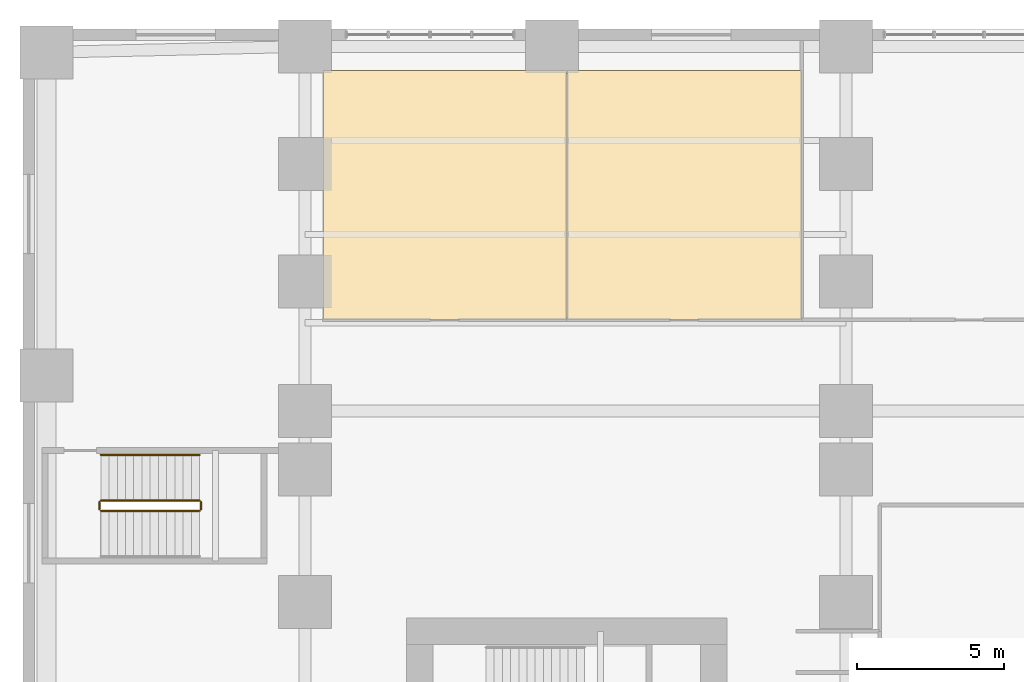
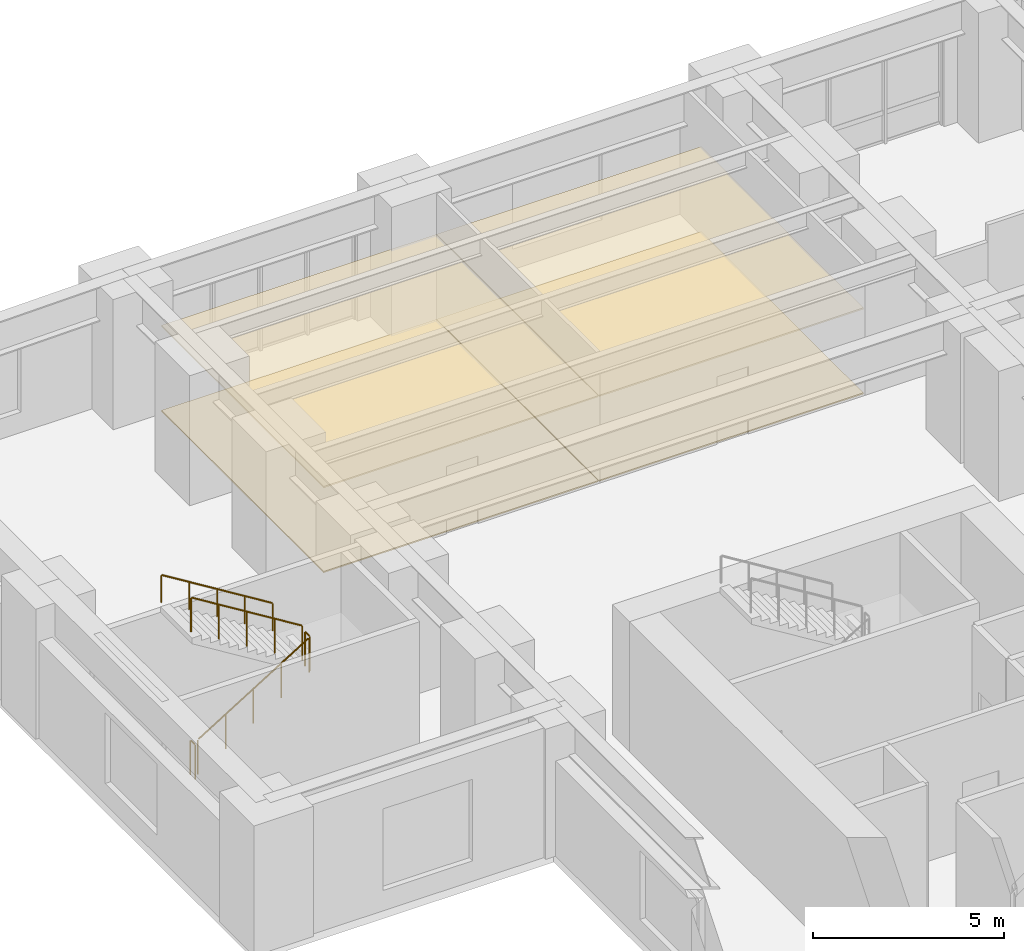
# One storey, part 11 of 11: 5 railings, 4 coverings.
"""IFC4 building model written with IfcOpenShell, lengths in metres."""

from ifc_helpers import new_model, si_unit, direction, frame, origin, origin_2d, place, context, subcontext, project, spatial, polyline, circle, outline, extrude, source, transform, mapped, material, layer, layer_set, type_object, element, save


model = new_model("IFC4")

# Units and contexts
model_context = context("Model", 3, precision=1e-05, world=origin(), true_north=direction((0.0, 1.0)))
body_context = subcontext(model_context, "Body", "Model", "MODEL_VIEW")
ifc_project = project(units=[si_unit("LENGTHUNIT", "METRE"), si_unit("AREAUNIT", "SQUARE_METRE"), si_unit("VOLUMEUNIT", "CUBIC_METRE"), si_unit("PLANEANGLEUNIT", "RADIAN"), si_unit("MASSUNIT", "GRAM", prefix="KILO")], contexts=[model_context])

# Site, building, storey
site_placement = place(None, origin())
site = spatial("IfcSite", under=ifc_project, at=site_placement, CompositionType="ELEMENT")
building_placement = place(site_placement, origin())
building = spatial("IfcBuilding", under=site, at=building_placement, Name="Kharzan Plaza Tower", CompositionType="ELEMENT")
storey_placement = place(building_placement, frame((0.0, 0.0, 13.5)))
storey = spatial("IfcBuildingStorey", under=building, at=storey_placement, Name="L03", CompositionType="ELEMENT", Elevation=13.5)

# Coverings
ifc_material_1 = material(Name="Perforated Acoustic Mineral-Fibre Tile", Category="gypsum")
ifc_layer_1 = layer(ifc_material_1, 0.044921875)
ifc_layer_set_1 = layer_set([ifc_layer_1], Name="Perforated Acoustic Mineral-Fibre Tile")
covering_type_1 = type_object("IfcCoveringType", Name="COV-CEIL-ACT", PredefinedType="CEILING", material=ifc_layer_set_1)
covering_1_placement = place(storey_placement, frame((0.0, 0.0, 2.705078125)))
element("IfcCovering", 1, at=covering_1_placement, inside=storey, type_object=covering_type_1, Name="L03 Suspended Acoustic Ceiling CONF1", PredefinedType="CEILING", context=body_context, shape_type="SweptSolid", body=[
    extrude(outline(polyline([(1.2099609375, 40.110107421875), (9.489990234375, 40.110107421875), (9.489990234375, 48.590087890625), (1.2099609375, 48.590087890625), (1.2099609375, 40.110107421875)])), origin(), (0.0, 0.0, 1.0), 0.044921875),
])
covering_2_placement = place(storey_placement, frame((0.0, 0.0, 2.705078125)))
element("IfcCovering", 2, at=covering_2_placement, inside=storey, type_object=covering_type_1, Name="L03 Suspended Acoustic Ceiling CONF2", PredefinedType="CEILING", context=body_context, shape_type="SweptSolid", body=[
    extrude(outline(polyline([(9.510009765625, 40.110107421875), (17.489990234375, 40.110107421875), (17.489990234375, 48.590087890625), (9.510009765625, 48.590087890625), (9.510009765625, 40.110107421875)])), origin(), (0.0, 0.0, 1.0), 0.044921875),
])
ifc_material_2 = material(Name="Honed Najran Granite Terrazzo", Category="masonry")
ifc_layer_2 = layer(ifc_material_2, 0.0400390625)
ifc_layer_set_2 = layer_set([ifc_layer_2], Name="Honed Najran Granite Terrazzo")
covering_type_2 = type_object("IfcCoveringType", Name="COV-FLOOR-STN", PredefinedType="FLOORING", material=ifc_layer_set_2)
covering_3_placement = place(storey_placement, origin())
element("IfcCovering", 3, at=covering_3_placement, inside=storey, type_object=covering_type_2, Name="L03 Honed Granite Terrazzo Flooring CONF1", PredefinedType="FLOORING", context=body_context, shape_type="SweptSolid", body=[
    extrude(outline(polyline([(1.2099609375, 40.110107421875), (9.489990234375, 40.110107421875), (9.489990234375, 48.590087890625), (1.2099609375, 48.590087890625), (1.2099609375, 40.110107421875)])), origin(), (0.0, 0.0, 1.0), 0.0400390625),
])
covering_4_placement = place(storey_placement, origin())
element("IfcCovering", 4, at=covering_4_placement, inside=storey, type_object=covering_type_2, Name="L03 Honed Granite Terrazzo Flooring CONF2", PredefinedType="FLOORING", context=body_context, shape_type="SweptSolid", body=[
    extrude(outline(polyline([(9.510009765625, 40.110107421875), (17.489990234375, 40.110107421875), (17.489990234375, 48.590087890625), (9.510009765625, 48.590087890625), (9.510009765625, 40.110107421875)])), origin(), (0.0, 0.0, 1.0), 0.0400390625),
])

# Railings
ifc_material_3 = material(Name="Painted Galvanized Architectural Steel", Category="steel")
ifc_layer_3 = layer(ifc_material_3, 0.074951171875)
ifc_layer_set_3 = layer_set([ifc_layer_3], Name="Painted Galvanized Architectural Steel")
railing_type_1 = type_object("IfcRailingType", Name="RL-GUARD-1120", PredefinedType="BALUSTRADE", material=ifc_layer_set_3)
shared_shape_1 = source(origin(), body_context, "Body", "SweptSolid", [
    extrude(circle(Radius=0.02392578125, at=origin_2d()), frame((0.0224609375, 0.0, 1.10986328125), z_axis=(0.850623216509, 0.0, 0.525775754039), x_axis=(0.0, 1.0, 0.0)), (0.0, 0.0, 1.0), 3.897216796875),
    extrude(circle(Radius=0.02099609375, at=origin_2d()), origin(), (0.0, 0.0, 1.0), 1.072021484375),
    extrude(circle(Radius=0.02099609375, at=origin_2d()), frame((0.840087890625, 0.0, 0.519287109375)), (0.0, 0.0, 1.0), 1.072021484375),
    extrude(circle(Radius=0.02099609375, at=origin_2d()), frame((1.68017578125, 0.0, 1.03857421875)), (0.0, 0.0, 1.0), 1.072021484375),
    extrude(circle(Radius=0.02099609375, at=origin_2d()), frame((2.52001953125, 0.0, 1.5576171875)), (0.0, 0.0, 1.0), 1.072021484375),
    extrude(circle(Radius=0.02099609375, at=origin_2d()), frame((3.360107421875, 0.0, 2.076904296875)), (0.0, 0.0, 1.0), 1.072021484375),
])
railing_1_placement = place(storey_placement, frame((-6.35009765625, 33.60009765625, 0.173095703125)))
element("IfcRailing", 5, at=railing_1_placement, inside=storey, type_object=railing_type_1, Name="L03 ST-4 stair guard 1", PredefinedType="BALUSTRADE", context=body_context, shape_type="MappedRepresentation", body=[
    mapped(shared_shape_1, transform((0.0, 0.0, 0.0), x_axis=(1.0, 0.0, 0.0), y_axis=(0.0, 1.0, 0.0), z_axis=(0.0, 0.0, 1.0))),
])
shared_shape_2 = source(origin(), body_context, "Body", "SweptSolid", [
    extrude(circle(Radius=0.02392578125, at=origin_2d()), frame((0.0, 0.0263671875, 1.09619140625), z_axis=(0.0, 1.0, 0.0), x_axis=(-1.0, 0.0, 0.0)), (0.0, 0.0, 1.0), 0.197021484375),
    extrude(circle(Radius=0.02099609375, at=origin_2d()), origin(), (0.0, 0.0, 1.0), 1.072021484375),
    extrude(circle(Radius=0.02099609375, at=origin_2d()), frame((0.0, 0.25, 0.0)), (0.0, 0.0, 1.0), 1.072021484375),
])
for number, where, name in (
    (6, (-2.93994140625, 33.64990234375, 2.25), "L03 ST-4 stair guard 2"),
    (7, (-6.39990234375, 33.64990234375, 0.0), "L03 ST-4 stair guard 4"),
):
    element("IfcRailing", number, at=place(storey_placement, frame(where)), inside=storey, type_object=railing_type_1, Name=name, PredefinedType="BALUSTRADE", context=body_context, shape_type="MappedRepresentation", body=[
        mapped(shared_shape_2, transform((0.0, 0.0, 0.0), x_axis=(1.0, 0.0, 0.0), y_axis=(0.0, 1.0, 0.0), z_axis=(0.0, 0.0, 1.0))),
    ])
shared_shape_3 = source(origin(), body_context, "Body", "SweptSolid", [
    extrude(circle(Radius=0.02392578125, at=origin_2d()), frame((-0.0224609375, 0.0, 1.10986328125), z_axis=(-0.850623216509, 0.0, 0.525775754039), x_axis=(0.0, -1.0, 0.0)), (0.0, 0.0, 1.0), 3.897216796875),
    extrude(circle(Radius=0.02099609375, at=origin_2d()), origin(), (0.0, 0.0, 1.0), 1.072021484375),
    extrude(circle(Radius=0.02099609375, at=origin_2d()), frame((-0.840087890625, 0.0, 0.519287109375)), (0.0, 0.0, 1.0), 1.072021484375),
    extrude(circle(Radius=0.02099609375, at=origin_2d()), frame((-1.68017578125, 0.0, 1.03857421875)), (0.0, 0.0, 1.0), 1.072021484375),
    extrude(circle(Radius=0.02099609375, at=origin_2d()), frame((-2.52001953125, 0.0, 1.5576171875)), (0.0, 0.0, 1.0), 1.072021484375),
    extrude(circle(Radius=0.02099609375, at=origin_2d()), frame((-3.360107421875, 0.0, 2.076904296875)), (0.0, 0.0, 1.0), 1.072021484375),
])
railing_2_placement = place(storey_placement, frame((-2.989990234375, 33.949951171875, 2.423095703125)))
element("IfcRailing", 8, at=railing_2_placement, inside=storey, type_object=railing_type_1, Name="L03 ST-4 stair guard 3", PredefinedType="BALUSTRADE", context=body_context, shape_type="MappedRepresentation", body=[
    mapped(shared_shape_3, transform((0.0, 0.0, 0.0), x_axis=(1.0, 0.0, 0.0), y_axis=(0.0, 1.0, 0.0), z_axis=(0.0, 0.0, 1.0))),
])
ifc_material_4 = material(Name="Brushed Stainless Steel", Category="steel")
ifc_layer_4 = layer(ifc_material_4, 0.050048828125)
ifc_layer_set_4 = layer_set([ifc_layer_4], Name="Brushed Stainless Steel")
railing_type_2 = type_object("IfcRailingType", Name="RL-STAIR-HR920", PredefinedType="HANDRAIL", material=ifc_layer_set_4)
shared_shape_4 = source(origin(), body_context, "Body", "SweptSolid", [
    extrude(circle(Radius=0.02392578125, at=origin_2d()), frame((-0.0224609375, 0.0, 0.8896484375), z_axis=(-0.850623216509, 0.0, 0.525775754039), x_axis=(0.0, -1.0, 0.0)), (0.0, 0.0, 1.0), 3.897216796875),
    extrude(circle(Radius=0.02099609375, at=origin_2d()), origin(), (0.0, 0.0, 1.0), 0.851806640625),
    extrude(circle(Radius=0.02099609375, at=origin_2d()), frame((-0.840087890625, 0.0, 0.519287109375)), (0.0, 0.0, 1.0), 0.851806640625),
    extrude(circle(Radius=0.02099609375, at=origin_2d()), frame((-1.68017578125, 0.0, 1.03857421875)), (0.0, 0.0, 1.0), 0.851806640625),
    extrude(circle(Radius=0.02099609375, at=origin_2d()), frame((-2.52001953125, 0.0, 1.5576171875)), (0.0, 0.0, 1.0), 0.851806640625),
    extrude(circle(Radius=0.02099609375, at=origin_2d()), frame((-3.360107421875, 0.0, 2.076904296875)), (0.0, 0.0, 1.0), 0.851806640625),
])
railing_3_placement = place(storey_placement, frame((-2.989990234375, 35.5, 2.423095703125)))
element("IfcRailing", 9, at=railing_3_placement, inside=storey, type_object=railing_type_2, Name="L03 ST-4 stair handrail 2", PredefinedType="HANDRAIL", context=body_context, shape_type="MappedRepresentation", body=[
    mapped(shared_shape_4, transform((0.0, 0.0, 0.0), x_axis=(1.0, 0.0, 0.0), y_axis=(0.0, 1.0, 0.0), z_axis=(0.0, 0.0, 1.0))),
])

save(model, "model.ifc")
